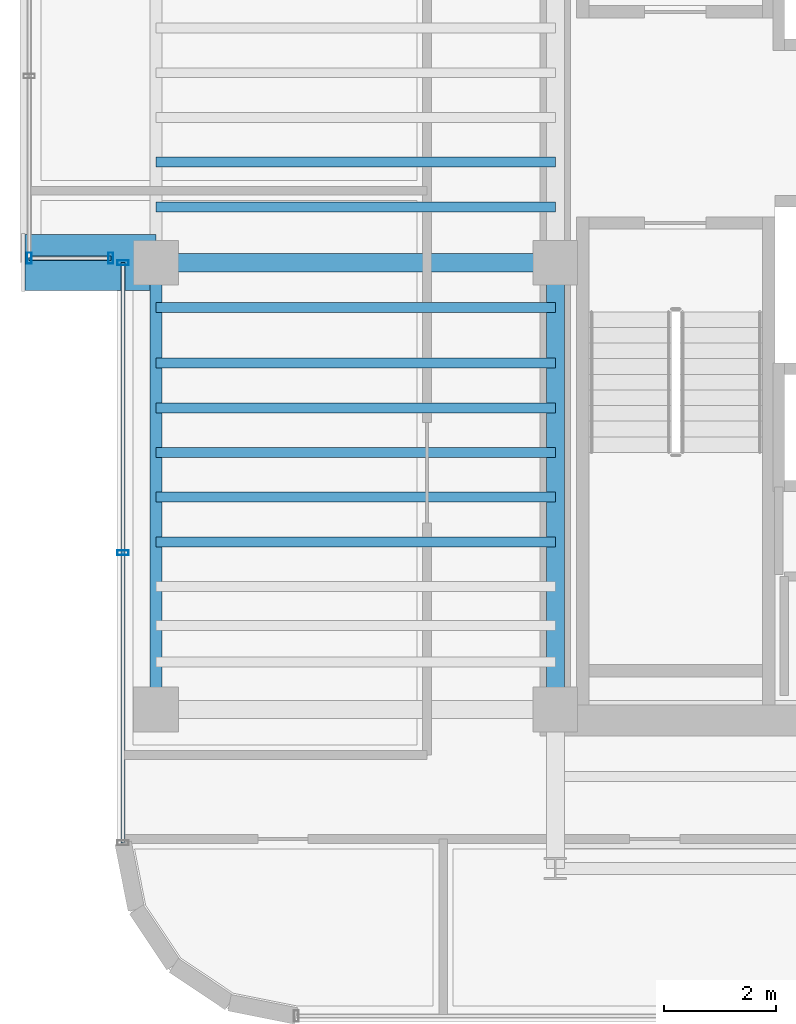
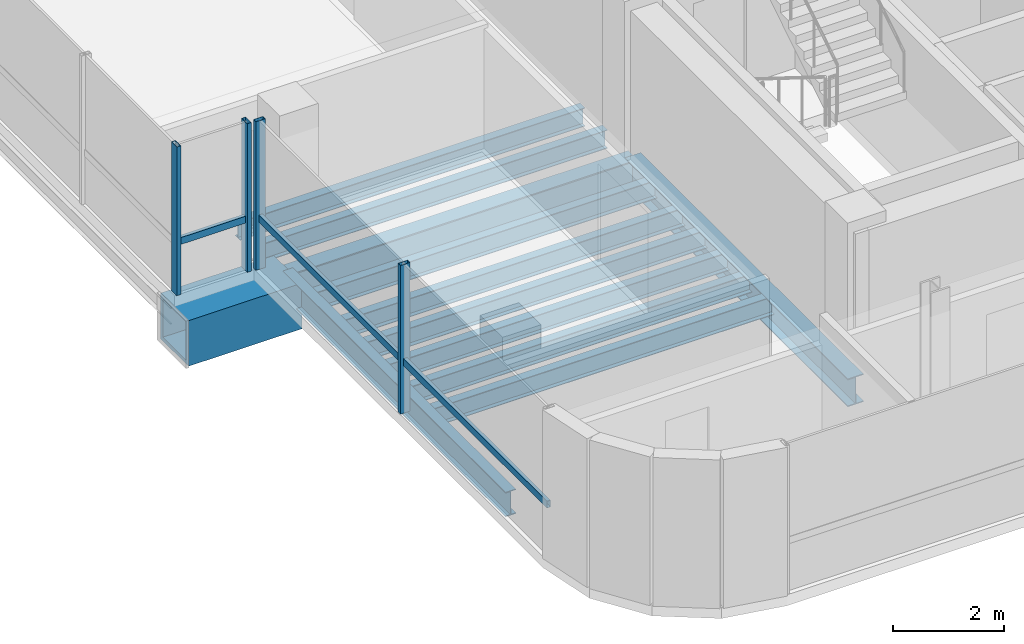
# One storey, part 4 of 18: 12 beams, 6 members, 2 elements without a shape of their own.
"""IFC4 building model written with IfcOpenShell, lengths in metres."""

from ifc_helpers import new_model, si_unit, direction, frame, origin, origin_2d, place, context, subcontext, project, spatial, hollow_rectangle, i_section, extrude, source, transform, mapped, material, material_profile, profile_set, type_object, element, aggregate, save


model = new_model("IFC4")

# Units and contexts
model_context = context("Model", 3, precision=1e-05, world=origin(), true_north=direction((0.0, 1.0)))
body_context = subcontext(model_context, "Body", "Model", "MODEL_VIEW")
ifc_project = project(units=[si_unit("LENGTHUNIT", "METRE"), si_unit("AREAUNIT", "SQUARE_METRE"), si_unit("VOLUMEUNIT", "CUBIC_METRE"), si_unit("PLANEANGLEUNIT", "RADIAN"), si_unit("MASSUNIT", "GRAM", prefix="KILO")], contexts=[model_context])

# Site, building, storey
site_placement = place(None, origin())
site = spatial("IfcSite", under=ifc_project, at=site_placement, CompositionType="ELEMENT")
building_placement = place(site_placement, origin())
building = spatial("IfcBuilding", under=site, at=building_placement, Name="Valdorenza Pilgrim Sanctuary Tower", CompositionType="ELEMENT")
storey_placement = place(building_placement, frame((0.0, 0.0, 276.5)))
storey = spatial("IfcBuildingStorey", under=building, at=storey_placement, Name="L72", CompositionType="ELEMENT", Elevation=276.5)

# Beams
ifc_material_1 = material(Name="Steel ASTM A992 Grade 50", Category="steel")
ifc_material_profile_1 = material_profile(ifc_material_1, i_section(OverallWidth=0.323974609375, OverallDepth=0.611083984375, WebThickness=0.0126953125, FlangeThickness=0.01904296875, at=origin_2d()), Name="W24X104")
ifc_profile_set_1 = profile_set([ifc_material_profile_1], Name="Steel ASTM A992 Grade 50")
beam_type_1 = type_object("IfcBeamType", Name="STR-BM-GRD-W24B", PredefinedType="BEAM", material=ifc_profile_set_1)
shared_shape_1 = source(origin(), body_context, "Body", "SweptSolid", [
    extrude(i_section(OverallWidth=0.323974609375, OverallDepth=0.611083984375, WebThickness=0.0126953125, FlangeThickness=0.01904296875, at=origin_2d()), origin(), (0.0, 0.0, 1.0), 8.0),
])
beam_1_placement = place(storey_placement, frame((-22.64990234375, -10.60009765625, -0.54541015625), z_axis=(0.0, 1.0, 0.0), x_axis=(-1.0, 0.0, 0.0)))
element("IfcBeam", 1, at=beam_1_placement, inside=storey, type_object=beam_type_1, Name="L72 Core Tie Girder CA-W-S1M0", PredefinedType="BEAM", context=body_context, shape_type="MappedRepresentation", body=[
    mapped(shared_shape_1, transform((0.0, 0.0, 0.0), x_axis=(1.0, 0.0, 0.0), y_axis=(0.0, 1.0, 0.0), z_axis=(0.0, 0.0, 1.0), scale=1.0)),
])
ifc_material_profile_2 = material_profile(ifc_material_1, i_section(OverallWidth=0.2109375, OverallDepth=0.5390625, WebThickness=0.01171875, FlangeThickness=0.018798828125, at=origin_2d()), Name="W21X73")
ifc_profile_set_2 = profile_set([ifc_material_profile_2], Name="Steel ASTM A992 Grade 50")
beam_type_2 = type_object("IfcBeamType", Name="STR-BM-SPN-W21B", PredefinedType="SPANDREL", material=ifc_profile_set_2)
shared_shape_2 = source(origin(), body_context, "Body", "SweptSolid", [
    extrude(i_section(OverallWidth=0.2109375, OverallDepth=0.5390625, WebThickness=0.01171875, FlangeThickness=0.018798828125, at=origin_2d()), origin(), (0.0, 0.0, 1.0), 8.0),
])
beam_2_placement = place(storey_placement, frame((-29.800048828125, -10.60009765625, -0.509521484375), z_axis=(0.0, 1.0, 0.0), x_axis=(-1.0, 0.0, 0.0)))
element("IfcBeam", 2, at=beam_2_placement, inside=storey, type_object=beam_type_2, Name="L72 Spandrel Beam WA-W-S1M0", PredefinedType="SPANDREL", context=body_context, shape_type="MappedRepresentation", body=[
    mapped(shared_shape_2, transform((0.0, 0.0, 0.0), x_axis=(1.0, 0.0, 0.0), y_axis=(0.0, 1.0, 0.0), z_axis=(0.0, 0.0, 1.0), scale=1.0)),
])
ifc_material_profile_3 = material_profile(ifc_material_1, i_section(OverallWidth=0.177978515625, OverallDepth=0.406005859375, WebThickness=0.0078125, FlangeThickness=0.0126953125, at=origin_2d()), Name="W16X40")
ifc_profile_set_3 = profile_set([ifc_material_profile_3], Name="Steel ASTM A992 Grade 50")
beam_type_3 = type_object("IfcBeamType", Name="STR-BM-JST-W16", PredefinedType="JOIST", material=ifc_profile_set_3)
shared_shape_3 = source(origin(), body_context, "Body", "SweptSolid", [
    extrude(i_section(OverallWidth=0.177978515625, OverallDepth=0.406005859375, WebThickness=0.0078125, FlangeThickness=0.0126953125, at=origin_2d()), origin(), (0.0, 0.0, 1.0), 7.150146484375),
])
for number, where, z_axis, x_axis, name in (
    (3, (-29.800048828125, -7.60009765625, -0.443115234375), (1.0, 0.0, 0.0), (0.0, 1.0, 0.0), "L72 Composite Floor Joist JST-WA-4"),
    (4, (-29.800048828125, -6.800048828125, -0.443115234375), (1.0, 0.0, 0.0), (0.0, 1.0, 0.0), "L72 Composite Floor Joist JST-WA-5"),
    (5, (-29.800048828125, -6.0, -0.443115234375), (1.0, 0.0, 0.0), (0.0, 1.0, 0.0), "L72 Composite Floor Joist JST-WA-6"),
    (6, (-29.800048828125, -5.199951171875, -0.443115234375), (1.0, 0.0, 0.0), (0.0, 1.0, 0.0), "L72 Composite Floor Joist JST-WA-7"),
    (7, (-29.800048828125, -4.39990234375, -0.443115234375), (1.0, 0.0, 0.0), (0.0, 1.0, 0.0), "L72 Composite Floor Joist JST-WA-8"),
    (8, (-29.800048828125, -3.39990234375, -0.443115234375), (1.0, 0.0, 0.0), (0.0, 1.0, 0.0), "L72 Composite Floor Joist JST-WA-9"),
    (9, (-29.800048828125, -1.60009765625, -0.443115234375), (1.0, 0.0, 0.0), (0.0, 1.0, 0.0), "L72 Composite Floor Joist JST-WA-10"),
    (10, (-29.800048828125, -0.800048828125, -0.443115234375), (1.0, 0.0, 0.0), (0.0, 1.0, 0.0), "L72 Composite Floor Joist JST-WA-11"),
):
    element("IfcBeam", number, at=place(storey_placement, frame(where, z_axis=z_axis, x_axis=x_axis)), inside=storey, type_object=beam_type_3, Name=name, PredefinedType="JOIST", context=body_context, shape_type="MappedRepresentation", body=[
        mapped(shared_shape_3, transform((0.0, 0.0, 0.0), x_axis=(1.0, 0.0, 0.0), y_axis=(0.0, 1.0, 0.0), z_axis=(0.0, 0.0, 1.0), scale=1.0)),
    ])
ifc_material_2 = material(Name="Steel ASTM A572 Grade 42", Category="steel")
ifc_material_profile_4 = material_profile(ifc_material_2, hollow_rectangle(XDim=1.0, YDim=1.0, WallThickness=0.080078125, at=origin_2d()), Name="BOX 1000x1000x80")
ifc_profile_set_4 = profile_set([ifc_material_profile_4], Name="Steel ASTM A572 Grade 42")
beam_type_4 = type_object("IfcBeamType", Name="STR-BM-PROW-CANT", PredefinedType="BEAM", material=ifc_profile_set_4)
shared_shape_4 = source(origin(), body_context, "Body", "SweptSolid", [
    extrude(hollow_rectangle(XDim=1.0, YDim=1.0, WallThickness=0.080078125, at=origin_2d()), origin(), (0.0, 0.0, 1.0), 2.349853515625),
])
beam_3_placement = place(storey_placement, frame((-29.800048828125, -2.60009765625, -0.739990234375), z_axis=(-1.0, 0.0, 0.0), x_axis=(0.0, -1.0, 0.0)))
element("IfcBeam", 11, at=beam_3_placement, inside=storey, type_object=beam_type_4, Name="L72 Glass Box Cantilever Beam BOX-WA-L72-CT-S", PredefinedType="BEAM", context=body_context, shape_type="MappedRepresentation", body=[
    mapped(shared_shape_4, transform((0.0, 0.0, 0.0), x_axis=(1.0, 0.0, 0.0), y_axis=(0.0, 1.0, 0.0), z_axis=(0.0, 0.0, 1.0), scale=1.0)),
])
ifc_material_profile_5 = material_profile(ifc_material_1, i_section(OverallWidth=0.326904296875, OverallDepth=0.6220703125, WebThickness=0.015380859375, FlangeThickness=0.0244140625, at=origin_2d()), Name="W24X131")
ifc_profile_set_5 = profile_set([ifc_material_profile_5], Name="Steel ASTM A992 Grade 50")
beam_type_5 = type_object("IfcBeamType", Name="STR-BM-GRD-W24A", PredefinedType="BEAM", material=ifc_profile_set_5)
shared_shape_5 = source(origin(), body_context, "Body", "SweptSolid", [
    extrude(i_section(OverallWidth=0.326904296875, OverallDepth=0.6220703125, WebThickness=0.015380859375, FlangeThickness=0.0244140625, at=origin_2d()), origin(), (0.0, 0.0, 1.0), 7.150146484375),
])
beam_4_placement = place(storey_placement, frame((-29.800048828125, -2.60009765625, -0.551025390625), z_axis=(1.0, 0.0, 0.0), x_axis=(0.0, 1.0, 0.0)))
element("IfcBeam", 12, at=beam_4_placement, inside=storey, type_object=beam_type_5, Name="L72 Floor Girder WA-XW-M0", PredefinedType="BEAM", context=body_context, shape_type="MappedRepresentation", body=[
    mapped(shared_shape_5, transform((0.0, 0.0, 0.0), x_axis=(1.0, 0.0, 0.0), y_axis=(0.0, 1.0, 0.0), z_axis=(0.0, 0.0, 1.0), scale=1.0)),
])

# Curtain wall, member
ifc_material_3 = material(Name="Curtain-wall IGU glazing", Category="glass")
curtain_wall_type = type_object("IfcCurtainWallType", Name="CW-SYS-02", PredefinedType="NOTDEFINED", material=ifc_material_3)
curtain_wall_1_placement = place(storey_placement, origin())
curtain_wall_1 = element("IfcCurtainWall", 13, at=curtain_wall_1_placement, inside=storey, type_object=curtain_wall_type, Name="L72 Curtain Wall CW-L72-BOX-WA-L72-S", PredefinedType="NOTDEFINED")
ifc_material_4 = material(Name="Anodised aluminium AW-6060", Category="aluminium")
ifc_material_profile_6 = material_profile(ifc_material_4, hollow_rectangle(XDim=0.074951171875, YDim=0.14990234375, WallThickness=0.00390625, at=origin_2d()), Name="ALU-T 150x75x4")
ifc_profile_set_6 = profile_set([ifc_material_profile_6], Name="Anodised aluminium AW-6060")
member_type_1 = type_object("IfcMemberType", Name="CW-TRN-02", PredefinedType="USERDEFINED", material=ifc_profile_set_6)
shared_shape_6 = source(origin(), body_context, "Body", "SweptSolid", [
    extrude(hollow_rectangle(XDim=0.074951171875, YDim=0.14990234375, WallThickness=0.00390625, at=origin_2d()), origin(), (0.0, 0.0, 1.0), 1.4599609375),
])
member_1_placement = place(storey_placement, frame((-30.610107421875, -2.52001953125, 1.1201171875), z_axis=(-1.0, 0.0, 0.0), x_axis=(0.0, -1.0, 0.0)))
member_1 = element("IfcMember", 14, at=member_1_placement, type_object=member_type_1, Name="CW-L72-BOX-WA-L72-S Transom 1", ObjectType="TRANSOM", PredefinedType="USERDEFINED", context=body_context, shape_type="MappedRepresentation", body=[
    mapped(shared_shape_6, transform((0.0, 0.0, 0.0), x_axis=(1.0, 0.0, 0.0), y_axis=(0.0, 1.0, 0.0), z_axis=(0.0, 0.0, 1.0), scale=1.0)),
])

# Curtain wall, members
curtain_wall_2_placement = place(storey_placement, origin())
curtain_wall_2 = element("IfcCurtainWall", 15, at=curtain_wall_2_placement, inside=storey, type_object=curtain_wall_type, Name="L72 Curtain Wall CW-L72-1-1S1", PredefinedType="NOTDEFINED")
ifc_material_profile_7 = material_profile(ifc_material_4, hollow_rectangle(XDim=0.0849609375, YDim=0.199951171875, WallThickness=0.0048828125, at=origin_2d()), Name="ALU-M 200x85x5")
ifc_profile_set_7 = profile_set([ifc_material_profile_7], Name="Anodised aluminium AW-6060")
member_type_2 = type_object("IfcMemberType", Name="CW-MUL-02", PredefinedType="MULLION", material=ifc_profile_set_7)
shared_shape_7 = source(origin(), body_context, "Body", "SweptSolid", [
    extrude(hollow_rectangle(XDim=0.0849609375, YDim=0.199951171875, WallThickness=0.0048828125, at=origin_2d()), origin(), (0.0, 0.0, 1.0), 3.260009765625),
])
member_2_placement = place(storey_placement, frame((-30.389892578125, -7.794677734375, 0.0), z_axis=(0.0, 0.0, 1.0), x_axis=(0.0, 1.0, 0.0)))
member_2 = element("IfcMember", 16, at=member_2_placement, type_object=member_type_2, Name="CW-L72-1-1S1 Mullion 2", PredefinedType="MULLION", context=body_context, shape_type="MappedRepresentation", body=[
    mapped(shared_shape_7, transform((0.0, 0.0, 0.0), x_axis=(1.0, 0.0, 0.0), y_axis=(0.0, 1.0, 0.0), z_axis=(0.0, 0.0, 1.0), scale=1.0)),
])
member_3_placement = place(storey_placement, frame((-30.389892578125, -2.60009765625, 0.0), z_axis=(0.0, 0.0, 1.0), x_axis=(0.0, 1.0, 0.0)))
member_3 = element("IfcMember", 17, at=member_3_placement, type_object=member_type_2, Name="CW-L72-1-1S1 Mullion 3", PredefinedType="MULLION", context=body_context, shape_type="MappedRepresentation", body=[
    mapped(shared_shape_7, transform((0.0, 0.0, 0.0), x_axis=(1.0, 0.0, 0.0), y_axis=(0.0, 1.0, 0.0), z_axis=(0.0, 0.0, 1.0), scale=1.0)),
])

# Member
member_4_placement = place(storey_placement, frame((-30.610107421875, -2.52001953125, 0.0), z_axis=(0.0, 0.0, 1.0), x_axis=(-1.0, 0.0, 0.0)))
member_4 = element("IfcMember", 18, at=member_4_placement, type_object=member_type_2, Name="CW-L72-BOX-WA-L72-S Mullion 1", PredefinedType="MULLION", context=body_context, shape_type="MappedRepresentation", body=[
    mapped(shared_shape_7, transform((0.0, 0.0, 0.0), x_axis=(1.0, 0.0, 0.0), y_axis=(0.0, 1.0, 0.0), z_axis=(0.0, 0.0, 1.0), scale=1.0)),
])

member_5_placement = place(storey_placement, frame((-32.070068359375, -2.52001953125, 0.0), z_axis=(0.0, 0.0, 1.0), x_axis=(-1.0, 0.0, 0.0)))
member_5 = element("IfcMember", 19, at=member_5_placement, type_object=member_type_2, Name="CW-L72-BOX-WA-L72-S Mullion 2", PredefinedType="MULLION", context=body_context, shape_type="MappedRepresentation", body=[
    mapped(shared_shape_7, transform((0.0, 0.0, 0.0), x_axis=(1.0, 0.0, 0.0), y_axis=(0.0, 1.0, 0.0), z_axis=(0.0, 0.0, 1.0), scale=1.0)),
])

aggregate(curtain_wall_1, [member_4, member_5, member_1])

shared_shape_8 = source(origin(), body_context, "Body", "SweptSolid", [
    extrude(hollow_rectangle(XDim=0.074951171875, YDim=0.14990234375, WallThickness=0.00390625, at=origin_2d()), origin(), (0.0, 0.0, 1.0), 10.38916015625),
])
member_6_placement = place(storey_placement, frame((-30.389892578125, -12.9892578125, 1.1201171875), z_axis=(0.0, 1.0, 0.0), x_axis=(-1.0, 0.0, 0.0)))
member_6 = element("IfcMember", 20, at=member_6_placement, type_object=member_type_1, Name="CW-L72-1-1S1 Transom 1", ObjectType="TRANSOM", PredefinedType="USERDEFINED", context=body_context, shape_type="MappedRepresentation", body=[
    mapped(shared_shape_8, transform((0.0, 0.0, 0.0), x_axis=(1.0, 0.0, 0.0), y_axis=(0.0, 1.0, 0.0), z_axis=(0.0, 0.0, 1.0), scale=1.0)),
])

aggregate(curtain_wall_2, [member_2, member_3, member_6])

save(model, "model.ifc")
